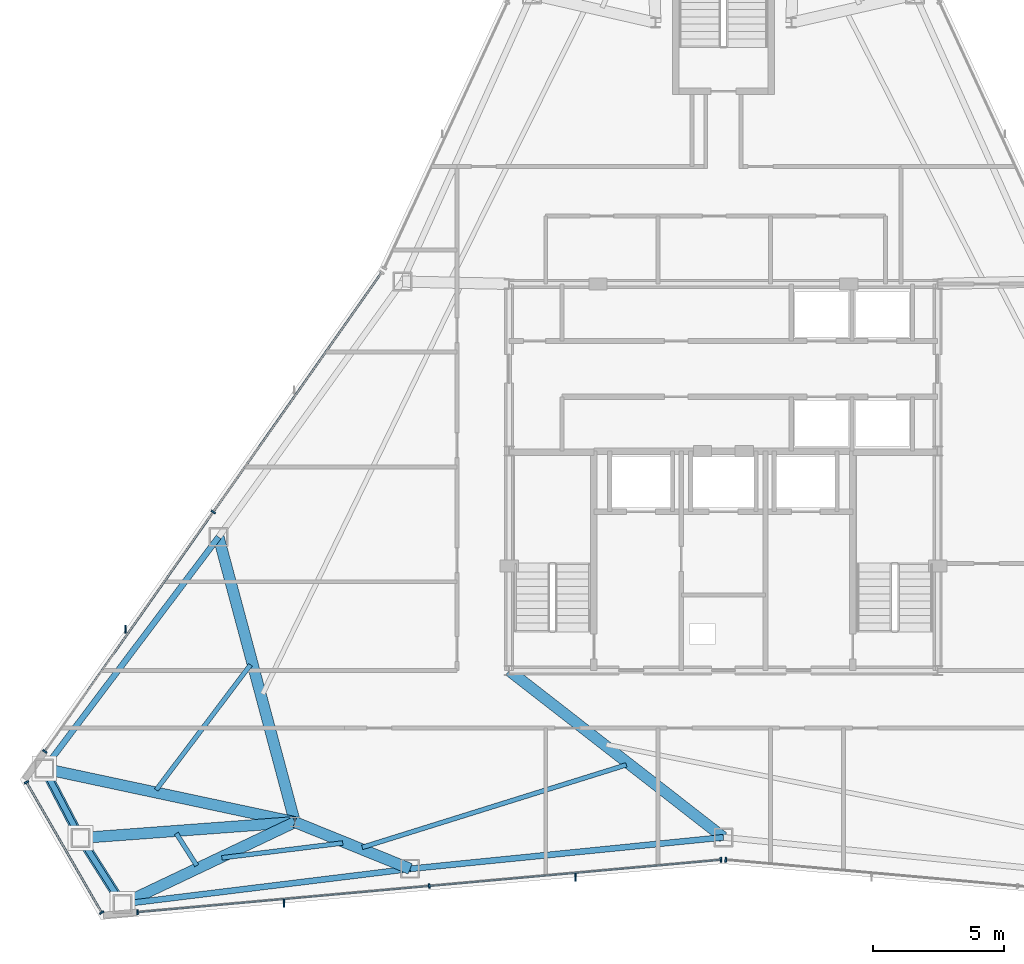
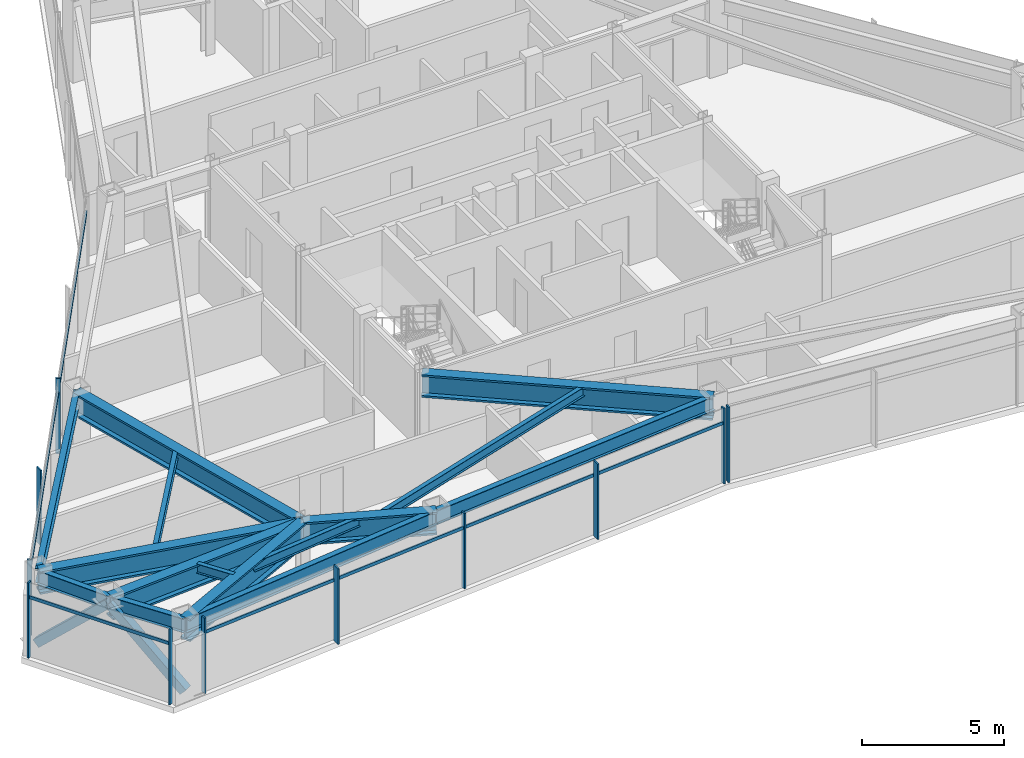
# One storey, part 3 of 12: 16 members, 15 beams, 4 elements without a shape of their own.
"""IFC4 building model written with IfcOpenShell, lengths in metres."""

import ifcopenshell
import ifcopenshell.guid

model = None  # the IFC model being written
_history = None  # IfcOwnerHistory: only IFC2X3 demands one
_inside = {}  # id of a spatial element -> (the spatial element, [elements in it])
_under = {}  # id of a project, library or spatial element -> (it, [spatial elements below it])
_declared = {}  # id of a project -> (the project, [libraries it declares])
_typed = {}  # id of a type object -> (the type object, [elements of that type])
_made_of = {}  # id of a material, layer set ... -> (it, [elements and type objects made of it])


def new_model(schema):
    """Start an empty IFC model of exactly this schema.

    Asked for "IFC4X3", IfcOpenShell would pick the latest addendum, in which some entities
    have other attributes; the version numbers below select the first issue.
    IFC2X3 requires an IfcOwnerHistory on every rooted entity: one is made here for all.
    """
    global model, _history
    if schema == "IFC4X3":
        model = ifcopenshell.file(schema_version=(4, 3, 0, 0))
    else:
        model = ifcopenshell.file(schema=schema)
    _inside.clear()
    _under.clear()
    _declared.clear()
    _typed.clear()
    _made_of.clear()
    _history = None
    if model.schema == "IFC2X3":
        org = make("IfcOrganization", Name="unknown")
        user = make(
            "IfcPersonAndOrganization",
            ThePerson=make("IfcPerson", FamilyName="unknown"),
            TheOrganization=org,
        )
        app = make(
            "IfcApplication",
            ApplicationDeveloper=org,
            Version="unknown",
            ApplicationFullName="unknown",
            ApplicationIdentifier="unknown",
        )
        _history = make(
            "IfcOwnerHistory",
            OwningUser=user,
            OwningApplication=app,
            ChangeAction="ADDED",
            CreationDate=0,
        )
    return model


def make(cls, **values):
    """One entity of the class cls with the attributes given. An attribute that is None is left unset."""
    return model.create_entity(
        cls, **{name: value for name, value in values.items() if value is not None}
    )


def rooted(cls, **values):
    """An entity with a GlobalId (a new one), such as an element, a storey or a relation."""
    return make(cls, GlobalId=ifcopenshell.guid.new(), OwnerHistory=_history, **values)


def si_unit(unit_type, name, prefix=None):
    """IfcSIUnit, for example si_unit("LENGTHUNIT", "METRE", prefix="MILLI")."""
    return make("IfcSIUnit", UnitType=unit_type, Prefix=prefix, Name=name)


def assignment(units):
    """IfcUnitAssignment: the units of a project."""
    return None if units is None else make("IfcUnitAssignment", Units=units)


def point(xyz):
    """IfcCartesianPoint."""
    return None if xyz is None else make("IfcCartesianPoint", Coordinates=xyz)


def direction(xyz):
    """IfcDirection."""
    return None if xyz is None else make("IfcDirection", DirectionRatios=xyz)


def frame(location, z_axis=None, x_axis=None):
    """IfcAxis2Placement3D, a coordinate frame: its origin and axes. An axis left out is left unset."""
    return make(
        "IfcAxis2Placement3D",
        Location=point(location),
        Axis=direction(z_axis),
        RefDirection=direction(x_axis),
    )


def frame_2d(location, x_axis=None):
    """IfcAxis2Placement2D, a coordinate frame in the plane: its origin and x axis."""
    return make(
        "IfcAxis2Placement2D", Location=point(location), RefDirection=direction(x_axis)
    )


def origin():
    """The frame at (0, 0, 0) with its axes left unset."""
    return frame((0.0, 0.0, 0.0))


def origin_2d():
    """The frame at (0, 0) in the plane with its x axis left unset."""
    return frame_2d((0.0, 0.0))


def place(relative_to, where):
    """IfcLocalPlacement: puts the frame where relative to a parent placement (None: the world)."""
    return make(
        "IfcLocalPlacement", PlacementRelTo=relative_to, RelativePlacement=where
    )


def context(
    kind, dimensions, precision=None, world=None, true_north=None, identifier=None
):
    """IfcGeometricRepresentationContext, for example the 3D "Model" context."""
    return make(
        "IfcGeometricRepresentationContext",
        ContextIdentifier=identifier,
        ContextType=kind,
        CoordinateSpaceDimension=dimensions,
        Precision=precision,
        WorldCoordinateSystem=world,
        TrueNorth=true_north,
    )


def subcontext(parent, identifier, kind, view, scale=None):
    """IfcGeometricRepresentationSubContext, for example "Body" below "Model"."""
    return make(
        "IfcGeometricRepresentationSubContext",
        ContextIdentifier=identifier,
        ContextType=kind,
        ParentContext=parent,
        TargetScale=scale,
        TargetView=view,
    )


def project(units=None, contexts=None):
    """IfcProject with its units and contexts."""
    return rooted(
        "IfcProject",
        Name="project",
        RepresentationContexts=contexts,
        UnitsInContext=assignment(units),
    )


def spatial(cls, under=None, at=None, **own):
    """A site, building, storey or space (cls), placed at a placement, below another one or the project."""
    s = rooted(cls, ObjectPlacement=at, **own)
    if under is not None:
        _under.setdefault(under.id(), (under, []))[1].append(s)
    return s


def profile(cls, at=None, kind="AREA", **sizes):
    """A parametric profile (cls). Its sizes go by their IFC names, for example OverallWidth=200.0."""
    return make(cls, ProfileType=kind, Position=at, **sizes)


def rectangle(**sizes):
    """IfcRectangleProfileDef."""
    return profile("IfcRectangleProfileDef", **sizes)


def hollow_rectangle(**sizes):
    """IfcRectangleHollowProfileDef."""
    return profile("IfcRectangleHollowProfileDef", **sizes)


def i_section(**sizes):
    """IfcIShapeProfileDef."""
    return profile("IfcIShapeProfileDef", **sizes)


def extrude(swept, where, along, depth):
    """IfcExtrudedAreaSolid: the profile swept, set in the frame where, extruded along a direction by depth."""
    return make(
        "IfcExtrudedAreaSolid",
        SweptArea=swept,
        Position=where,
        ExtrudedDirection=direction(along),
        Depth=depth,
    )


def shape(context_of_items, identifier, shape_type, items):
    """IfcShapeRepresentation: the items that make up one representation, for example the "Body"."""
    return make(
        "IfcShapeRepresentation",
        ContextOfItems=context_of_items,
        RepresentationIdentifier=identifier,
        RepresentationType=shape_type,
        Items=items,
    )


def source(mapping_origin, context_of_items, identifier, shape_type, items):
    """IfcRepresentationMap: a shape defined once, which mapped items show again and again."""
    return make(
        "IfcRepresentationMap",
        MappingOrigin=mapping_origin,
        MappedRepresentation=shape(context_of_items, identifier, shape_type, items),
    )


def transform(
    local_origin,
    x_axis=None,
    y_axis=None,
    z_axis=None,
    scale=None,
    scale2=None,
    scale3=None,
    uniform=True,
):
    """IfcCartesianTransformationOperator3D, or its non-uniform kind. x_axis, y_axis, z_axis: its Axis1, 2, 3."""
    if uniform:
        return make(
            "IfcCartesianTransformationOperator3D",
            Axis1=direction(x_axis),
            Axis2=direction(y_axis),
            LocalOrigin=point(local_origin),
            Scale=scale,
            Axis3=direction(z_axis),
        )
    return make(
        "IfcCartesianTransformationOperator3DnonUniform",
        Axis1=direction(x_axis),
        Axis2=direction(y_axis),
        LocalOrigin=point(local_origin),
        Scale=scale,
        Axis3=direction(z_axis),
        Scale2=scale2,
        Scale3=scale3,
    )


def mapped(mapping_source, mapping_target):
    """IfcMappedItem: shows the shape of a source again, moved by a transform."""
    return make(
        "IfcMappedItem", MappingSource=mapping_source, MappingTarget=mapping_target
    )


def material(Name=None, Category=None):
    """IfcMaterial."""
    return make("IfcMaterial", Name=Name, Category=Category)


def layer(
    of_material, thickness, ventilated=None, Name=None, Category=None, Priority=None
):
    """IfcMaterialLayer: one layer of a wall or slab, of a material (None: an air gap)."""
    return make(
        "IfcMaterialLayer",
        Material=of_material,
        LayerThickness=thickness,
        IsVentilated=ventilated,
        Name=Name,
        Category=Category,
        Priority=Priority,
    )


def layer_set(layers, Name=None):
    """IfcMaterialLayerSet."""
    return make("IfcMaterialLayerSet", MaterialLayers=layers, LayerSetName=Name)


def material_profile(
    of_material, cross_section, Name=None, Category=None, Priority=None
):
    """IfcMaterialProfile: a cross section and its material."""
    return make(
        "IfcMaterialProfile",
        Name=Name,
        Material=of_material,
        Profile=cross_section,
        Priority=Priority,
        Category=Category,
    )


def profile_set(profiles, Name=None, composite=None):
    """IfcMaterialProfileSet."""
    return make(
        "IfcMaterialProfileSet",
        Name=Name,
        MaterialProfiles=profiles,
        CompositeProfile=composite,
    )


def made_of(thing, what):
    """Note that an element or type object is made of a material, layer set ...; save() writes the relation."""
    if what is not None:
        _made_of.setdefault(what.id(), (what, []))[1].append(thing)
    return thing


def type_object(cls, material=None, **own):
    """A type object (cls), such as IfcWallType, which elements share."""
    return made_of(rooted(cls, **own), material)


def type_shapes(of_type, sources):
    """Give a type object the sources (RepresentationMaps) that its elements show as mapped items."""
    of_type.RepresentationMaps = sources


def element(
    cls,
    number,
    at=None,
    inside=None,
    cuts=None,
    type_object=None,
    material=None,
    context=None,
    identifier="Body",
    shape_type=None,
    held_by="IfcProductDefinitionShape",
    body=None,
    shapes=None,
    **own,
):
    """One element of the class cls, such as IfcWall. Its Tag is "e" and its number.

    at: its placement. inside: the storey or other place that contains it. cuts: it is an
    opening in that element (IfcRelVoidsElement). A single representation is given by context,
    identifier, shape_type and body (its items); several are given by shapes. held_by: the class
    of the entity that holds the representations. save() writes the other relations.
    """
    e = rooted(cls, Tag="e%d" % number, ObjectPlacement=at, **own)
    if body is not None:
        shapes = [shape(context, identifier, shape_type, body)]
    if shapes is not None:
        e.Representation = make(held_by, Representations=shapes)
    if inside is not None:
        _inside.setdefault(inside.id(), (inside, []))[1].append(e)
    if cuts is not None:
        rooted(
            "IfcRelVoidsElement", RelatingBuildingElement=cuts, RelatedOpeningElement=e
        )
    if type_object is not None:
        _typed.setdefault(type_object.id(), (type_object, []))[1].append(e)
    return made_of(e, material)


def aggregate(whole, parts):
    """IfcRelAggregates: a whole, such as a stair, and the parts it consists of."""
    return rooted("IfcRelAggregates", RelatingObject=whole, RelatedObjects=parts)


def save(model, path):
    """Write the relations noted so far, then the file.

    IfcRelAggregates (storeys below a building ...), IfcRelContainedInSpatialStructure (elements
    in a storey), IfcRelDefinesByType, IfcRelAssociatesMaterial and IfcRelDeclares: one each for
    every whole, place, type object, material and project.
    """
    for whole, parts in _under.values():
        aggregate(whole, parts)
    for where, things in _inside.values():
        rooted(
            "IfcRelContainedInSpatialStructure",
            RelatedElements=things,
            RelatingStructure=where,
        )
    for kind, things in _typed.values():
        rooted("IfcRelDefinesByType", RelatedObjects=things, RelatingType=kind)
    for what, things in _made_of.values():
        rooted("IfcRelAssociatesMaterial", RelatedObjects=things, RelatingMaterial=what)
    for by, libraries in _declared.values():
        rooted("IfcRelDeclares", RelatingContext=by, RelatedDefinitions=libraries)
    model.write(path)


model = new_model("IFC4")

# Units and contexts
model_context = context("Model", 3, precision=1e-05, world=origin(), true_north=direction((0.0, 1.0)))
body_context = subcontext(model_context, "Body", "Model", "MODEL_VIEW")
ifc_project = project(units=[si_unit("LENGTHUNIT", "METRE"), si_unit("AREAUNIT", "SQUARE_METRE"), si_unit("VOLUMEUNIT", "CUBIC_METRE"), si_unit("PLANEANGLEUNIT", "RADIAN"), si_unit("MASSUNIT", "GRAM", prefix="KILO")], contexts=[model_context])

# Site, building, storey
site_placement = place(None, origin())
site = spatial("IfcSite", under=ifc_project, at=site_placement, CompositionType="ELEMENT")
building_placement = place(site_placement, origin())
building = spatial("IfcBuilding", under=site, at=building_placement, Name="Varakhsha Concourse Tower", CompositionType="ELEMENT")
storey_placement = place(building_placement, frame((0.0, 0.0, 239.89990234375)))
storey = spatial("IfcBuildingStorey", under=building, at=storey_placement, Name="L68", CompositionType="ELEMENT", Elevation=239.89990234375)

# Beams
ifc_material_1 = material(Name="Structural Steel ASTM A992 Grade 50", Category="steel")
ifc_material_profile_1 = material_profile(ifc_material_1, i_section(OverallWidth=0.177978515625, OverallDepth=0.406982421875, WebThickness=0.008056640625, FlangeThickness=0.012939453125, at=origin_2d()), Name="W16X40")
ifc_profile_set_1 = profile_set([ifc_material_profile_1], Name="Structural Steel ASTM A992 Grade 50")
beam_type_1 = type_object("IfcBeamType", Name="BM-JST-W16X40", PredefinedType="JOIST", material=ifc_profile_set_1)
beam_1_placement = place(storey_placement, frame((21.898193359375, 16.621826171875, 3.046630859375), z_axis=(-0.601706040047, -0.79871762305, 0.0), x_axis=(0.79871762305, -0.601706040047, 0.0)))
element("IfcBeam", 1, at=beam_1_placement, inside=storey, type_object=beam_type_1, Name="BM-TJST-L68-06", PredefinedType="JOIST", context=body_context, shape_type="SweptSolid", body=[
    extrude(i_section(OverallWidth=0.177978515625, OverallDepth=0.406982421875, WebThickness=0.008056640625, FlangeThickness=0.012939453125, at=origin_2d()), origin(), (0.0, 0.0, 1.0), 5.994140625),
])
beam_2_placement = place(storey_placement, frame((19.061279296875, 10.166259765625, 3.046630859375), z_axis=(0.536051708421, -0.844185149063, 0.0), x_axis=(0.844185149063, 0.536051708421, 0.0)))
element("IfcBeam", 2, at=beam_2_placement, inside=storey, type_object=beam_type_1, Name="BM-TJST-L68-08", PredefinedType="JOIST", context=body_context, shape_type="SweptSolid", body=[
    extrude(i_section(OverallWidth=0.177978515625, OverallDepth=0.406982421875, WebThickness=0.008056640625, FlangeThickness=0.012939453125, at=origin_2d()), origin(), (0.0, 0.0, 1.0), 1.457763671875),
])
beam_3_placement = place(storey_placement, frame((20.803466796875, 9.232666015625, 3.046630859375), z_axis=(0.992562003635, 0.121740169785, 0.0), x_axis=(-0.121740169785, 0.992562003635, 0.0)))
element("IfcBeam", 3, at=beam_3_placement, inside=storey, type_object=beam_type_1, Name="BM-TJST-L68-09", PredefinedType="JOIST", context=body_context, shape_type="SweptSolid", body=[
    extrude(i_section(OverallWidth=0.177978515625, OverallDepth=0.406982421875, WebThickness=0.008056640625, FlangeThickness=0.012939453125, at=origin_2d()), origin(), (0.0, 0.0, 1.0), 4.66259765625),
])
beam_4_placement = place(storey_placement, frame((26.1748046875, 9.6318359375, 3.046630859375), z_axis=(0.954452092333, 0.298364212736, 0.0), x_axis=(-0.298364212736, 0.954452092333, 0.0)))
element("IfcBeam", 4, at=beam_4_placement, inside=storey, type_object=beam_type_1, Name="BM-TJST-L68-10", PredefinedType="JOIST", context=body_context, shape_type="SweptSolid", body=[
    extrude(i_section(OverallWidth=0.177978515625, OverallDepth=0.406982421875, WebThickness=0.008056640625, FlangeThickness=0.012939453125, at=origin_2d()), origin(), (0.0, 0.0, 1.0), 10.594970703125),
])
ifc_material_profile_2 = material_profile(ifc_material_1, i_section(OverallWidth=0.22900390625, OverallDepth=0.612060546875, WebThickness=0.011962890625, FlangeThickness=0.02001953125, at=origin_2d()), Name="W24X84")
ifc_profile_set_2 = profile_set([ifc_material_profile_2], Name="Structural Steel ASTM A992 Grade 50")
beam_type_2 = type_object("IfcBeamType", Name="BM-SPAN-W24X84", PredefinedType="SPANDREL", material=ifc_profile_set_2)
beam_5_placement = place(storey_placement, frame((20.67919921875, 21.51025390625, 2.944091796875), z_axis=(-0.601674316147, -0.79874152095, 0.0), x_axis=(0.79874152095, -0.601674316147, 0.0)))
element("IfcBeam", 5, at=beam_5_placement, inside=storey, type_object=beam_type_2, Name="BM-SPAN-L68-06", PredefinedType="SPANDREL", context=body_context, shape_type="SweptSolid", body=[
    extrude(i_section(OverallWidth=0.22900390625, OverallDepth=0.612060546875, WebThickness=0.011962890625, FlangeThickness=0.02001953125, at=origin_2d()), origin(), (0.0, 0.0, 1.0), 11.096435546875),
])
beam_6_placement = place(storey_placement, frame((14.002685546875, 12.64697265625, 2.944091796875), z_axis=(0.462983659194, -0.886366815331, 0.0), x_axis=(0.886366815331, 0.462983659194, 0.0)))
element("IfcBeam", 6, at=beam_6_placement, inside=storey, type_object=beam_type_2, Name="BM-SPAN-L68-07", PredefinedType="SPANDREL", context=body_context, shape_type="SweptSolid", body=[
    extrude(i_section(OverallWidth=0.22900390625, OverallDepth=0.612060546875, WebThickness=0.011962890625, FlangeThickness=0.02001953125, at=origin_2d()), origin(), (0.0, 0.0, 1.0), 2.996337890625),
])
beam_7_placement = place(storey_placement, frame((15.389892578125, 9.9912109375, 2.944091796875), z_axis=(0.536079112656, -0.84416774694, 0.0), x_axis=(0.84416774694, 0.536079112656, 0.0)))
element("IfcBeam", 7, at=beam_7_placement, inside=storey, type_object=beam_type_2, Name="BM-SPAN-L68-08", PredefinedType="SPANDREL", context=body_context, shape_type="SweptSolid", body=[
    extrude(i_section(OverallWidth=0.22900390625, OverallDepth=0.612060546875, WebThickness=0.011962890625, FlangeThickness=0.02001953125, at=origin_2d()), origin(), (0.0, 0.0, 1.0), 2.99609375),
])
beam_8_placement = place(storey_placement, frame((16.99609375, 7.4619140625, 2.944091796875), z_axis=(0.99256557361, 0.121711059831, 0.0), x_axis=(-0.121711059831, 0.99256557361, 0.0)))
element("IfcBeam", 8, at=beam_8_placement, inside=storey, type_object=beam_type_2, Name="BM-SPAN-L68-09", PredefinedType="SPANDREL", context=body_context, shape_type="SweptSolid", body=[
    extrude(i_section(OverallWidth=0.22900390625, OverallDepth=0.612060546875, WebThickness=0.011962890625, FlangeThickness=0.02001953125, at=origin_2d()), origin(), (0.0, 0.0, 1.0), 11.0966796875),
])
beam_9_placement = place(storey_placement, frame((28.01025390625, 8.8125, 2.944091796875), z_axis=(0.994986914397, 0.100005200763, 0.0), x_axis=(-0.100005200763, 0.994986914397, 0.0)))
element("IfcBeam", 9, at=beam_9_placement, inside=storey, type_object=beam_type_2, Name="BM-SPAN-L68-10", PredefinedType="SPANDREL", context=body_context, shape_type="SweptSolid", body=[
    extrude(i_section(OverallWidth=0.22900390625, OverallDepth=0.612060546875, WebThickness=0.011962890625, FlangeThickness=0.02001953125, at=origin_2d()), origin(), (0.0, 0.0, 1.0), 12.050048828125),
])
ifc_material_profile_3 = material_profile(ifc_material_1, i_section(OverallWidth=0.427978515625, OverallDepth=0.97509765625, WebThickness=0.050048828125, FlangeThickness=0.0810546875, at=origin_2d()), Name="W36X395")
ifc_profile_set_3 = profile_set([ifc_material_profile_3], Name="Structural Steel ASTM A992 Grade 50")
beam_type_3 = type_object("IfcBeamType", Name="BM-XFER-W36X395", PredefinedType="USERDEFINED", material=ifc_profile_set_3)
beam_10_placement = place(storey_placement, frame((23.60009765625, 10.60009765625, 2.7626953125), z_axis=(-0.258615069027, 0.965980458432, 0.0), x_axis=(-0.965980458432, -0.258615069027, 0.0)))
element("IfcBeam", 10, at=beam_10_placement, inside=storey, type_object=beam_type_3, Name="L68 Radial Floor Girder 06", ObjectType="GIRDER", PredefinedType="USERDEFINED", context=body_context, shape_type="SweptSolid", body=[
    extrude(i_section(OverallWidth=0.427978515625, OverallDepth=0.97509765625, WebThickness=0.050048828125, FlangeThickness=0.0810546875, at=origin_2d()), origin(), (0.0, 0.0, 1.0), 11.29443359375),
])
beam_11_placement = place(storey_placement, frame((23.60009765625, 10.60009765625, 2.7626953125), z_axis=(-0.978004747479, 0.208582630889, 0.0), x_axis=(-0.208582630889, -0.978004747479, 0.0)))
element("IfcBeam", 11, at=beam_11_placement, inside=storey, type_object=beam_type_3, Name="L68 Radial Floor Girder 07", ObjectType="GIRDER", PredefinedType="USERDEFINED", context=body_context, shape_type="SweptSolid", body=[
    extrude(i_section(OverallWidth=0.427978515625, OverallDepth=0.97509765625, WebThickness=0.050048828125, FlangeThickness=0.0810546875, at=origin_2d()), origin(), (0.0, 0.0, 1.0), 9.813232421875),
])
beam_12_placement = place(storey_placement, frame((23.60009765625, 10.60009765625, 2.7626953125), z_axis=(-0.997261277547, -0.073959071819, 0.0), x_axis=(0.073959071819, -0.997261277547, 0.0)))
element("IfcBeam", 12, at=beam_12_placement, inside=storey, type_object=beam_type_3, Name="L68 Radial Floor Girder 08", ObjectType="GIRDER", PredefinedType="USERDEFINED", context=body_context, shape_type="SweptSolid", body=[
    extrude(i_section(OverallWidth=0.427978515625, OverallDepth=0.97509765625, WebThickness=0.050048828125, FlangeThickness=0.0810546875, at=origin_2d()), origin(), (0.0, 0.0, 1.0), 8.232666015625),
])
beam_13_placement = place(storey_placement, frame((23.60009765625, 10.60009765625, 2.7626953125), z_axis=(-0.903209554436, -0.429199837809, 0.0), x_axis=(0.429199837809, -0.903209554436, 0.0)))
element("IfcBeam", 13, at=beam_13_placement, inside=storey, type_object=beam_type_3, Name="L68 Radial Floor Girder 09", ObjectType="GIRDER", PredefinedType="USERDEFINED", context=body_context, shape_type="SweptSolid", body=[
    extrude(i_section(OverallWidth=0.427978515625, OverallDepth=0.97509765625, WebThickness=0.050048828125, FlangeThickness=0.0810546875, at=origin_2d()), origin(), (0.0, 0.0, 1.0), 7.311767578125),
])
beam_14_placement = place(storey_placement, frame((23.60009765625, 10.60009765625, 2.7626953125), z_axis=(0.926761474879, -0.375650327672, 0.0), x_axis=(0.375650327672, 0.926761474879, 0.0)))
element("IfcBeam", 14, at=beam_14_placement, inside=storey, type_object=beam_type_3, Name="L68 Radial Floor Girder 10", ObjectType="GIRDER", PredefinedType="USERDEFINED", context=body_context, shape_type="SweptSolid", body=[
    extrude(i_section(OverallWidth=0.427978515625, OverallDepth=0.97509765625, WebThickness=0.050048828125, FlangeThickness=0.0810546875, at=origin_2d()), origin(), (0.0, 0.0, 1.0), 4.7587890625),
])
beam_15_placement = place(storey_placement, frame((31.800048828125, 16.39990234375, 2.7626953125), z_axis=(0.789138361813, -0.614215471895, 0.0), x_axis=(0.614215471895, 0.789138361813, 0.0)))
element("IfcBeam", 15, at=beam_15_placement, inside=storey, type_object=beam_type_3, Name="L68 Radial Floor Girder 11", ObjectType="GIRDER", PredefinedType="USERDEFINED", context=body_context, shape_type="SweptSolid", body=[
    extrude(i_section(OverallWidth=0.427978515625, OverallDepth=0.97509765625, WebThickness=0.050048828125, FlangeThickness=0.0810546875, at=origin_2d()), origin(), (0.0, 0.0, 1.0), 10.39111328125),
])

# Members
ifc_material_2 = material(Name="Structural Steel ASTM A500 Grade C", Category="steel")
ifc_material_profile_4 = material_profile(ifc_material_2, hollow_rectangle(XDim=0.35009765625, YDim=0.35009765625, WallThickness=0.01611328125, at=origin_2d()), Name="HSS 350x350x16")
ifc_profile_set_4 = profile_set([ifc_material_profile_4], Name="Structural Steel ASTM A500 Grade C")
member_type_1 = type_object("IfcMemberType", Name="MB-TUBE-HSS350", PredefinedType="BRACE", material=ifc_profile_set_4)
shared_shape_1 = source(origin(), body_context, "Body", "SweptSolid", [
    extrude(hollow_rectangle(XDim=0.35009765625, YDim=0.35009765625, WallThickness=0.01611328125, at=origin_2d()), origin(), (0.0, 0.0, 1.0), 4.12158203125),
])
type_shapes(member_type_1, [shared_shape_1])
for number, where, z_axis, x_axis, name in (
    (16, (14.002685546875, 12.64697265625, 0.1201171875), (0.336578258561, -0.644367880434, 0.686662297297), (0.886366815331, 0.462983659194, 0.0), "L68 Wind-Corner Tube Brace B03"),
    (17, (16.99609375, 7.4619140625, 0.1201171875), (-0.38971500648, 0.613687105507, 0.686666112648), (-0.84416774694, -0.536079112656, 0.0), "L68 Wind-Corner Tube Brace B04"),
):
    element("IfcMember", number, at=place(storey_placement, frame(where, z_axis=z_axis, x_axis=x_axis)), inside=storey, type_object=member_type_1, Name=name, PredefinedType="BRACE", context=body_context, shape_type="MappedRepresentation", body=[
        mapped(shared_shape_1, transform((0.0, 0.0, 0.0), scale=1.0)),
    ])

# Curtain wall, members
ifc_material_3 = material(Name="Anodised Bronze Architectural Aluminium AA 6063-T6", Category="aluminium")
ifc_layer = layer(ifc_material_3, 0.199951171875, Name="CW-SYS-05")
ifc_layer_set = layer_set([ifc_layer], Name="Anodised Bronze Architectural Aluminium AA 6063-T6")
curtain_wall_type = type_object("IfcCurtainWallType", Name="CW-SYS-05", PredefinedType="NOTDEFINED", material=ifc_layer_set)
curtain_wall_1_placement = place(storey_placement, origin())
curtain_wall_1 = element("IfcCurtainWall", 18, at=curtain_wall_1_placement, inside=storey, type_object=curtain_wall_type, Name="L68 Crystal Curtain Wall F3", PredefinedType="NOTDEFINED")
ifc_material_profile_5 = material_profile(ifc_material_3, rectangle(XDim=0.06494140625, YDim=0.179931640625, at=origin_2d()), Name="CWM-180X65")
ifc_profile_set_5 = profile_set([ifc_material_profile_5], Name="Anodised Bronze Architectural Aluminium AA 6063-T6")
member_type_2 = type_object("IfcMemberType", Name="CWM-180X65", PredefinedType="MULLION", material=ifc_profile_set_5)
shared_shape_2 = source(origin(), body_context, "Body", "SweptSolid", [
    extrude(rectangle(XDim=0.06494140625, YDim=0.179931640625, at=origin_2d()), origin(), (0.0, 0.0, 1.0), 3.25),
])
type_shapes(member_type_2, [shared_shape_2])
member_1_placement = place(storey_placement, frame((14.02587890625, 13.305419921875, 0.0), z_axis=(0.0, 0.0, 1.0), x_axis=(0.575443547255, 0.817841502935, 0.0)))
member_1 = element("IfcMember", 19, at=member_1_placement, type_object=member_type_2, Name="CW-L68-F3 Mullion 00", PredefinedType="MULLION", context=body_context, shape_type="MappedRepresentation", body=[
    mapped(shared_shape_2, transform((0.0, 0.0, 0.0), scale=1.0)),
])
member_2_placement = place(storey_placement, frame((20.475830078125, 22.472412109375, 0.0), z_axis=(0.0, 0.0, 1.0), x_axis=(0.575443547255, 0.817841502935, 0.0)))
member_2 = element("IfcMember", 20, at=member_2_placement, type_object=member_type_2, Name="CW-L68-F3 Mullion 01", PredefinedType="MULLION", context=body_context, shape_type="MappedRepresentation", body=[
    mapped(shared_shape_2, transform((0.0, 0.0, 0.0), scale=1.0)),
])

curtain_wall_2_placement = place(storey_placement, origin())
curtain_wall_2 = element("IfcCurtainWall", 21, at=curtain_wall_2_placement, inside=storey, type_object=curtain_wall_type, Name="L68 Chamfer Curtain Wall F4", PredefinedType="NOTDEFINED")
member_3_placement = place(storey_placement, frame((16.206298828125, 7.13720703125, 0.0), z_axis=(0.0, 0.0, 1.0), x_axis=(-0.499992442484, 0.866029767075, 0.0)))
member_3 = element("IfcMember", 22, at=member_3_placement, type_object=member_type_2, Name="CW-L68-F4 Mullion 00", PredefinedType="MULLION", context=body_context, shape_type="MappedRepresentation", body=[
    mapped(shared_shape_2, transform((0.0, 0.0, 0.0), scale=1.0)),
])
member_4_placement = place(storey_placement, frame((13.326416015625, 12.12548828125, 0.0), z_axis=(0.0, 0.0, 1.0), x_axis=(-0.499992442484, 0.866029767075, 0.0)))
member_4 = element("IfcMember", 23, at=member_4_placement, type_object=member_type_2, Name="CW-L68-F4 Mullion 01", PredefinedType="MULLION", context=body_context, shape_type="MappedRepresentation", body=[
    mapped(shared_shape_2, transform((0.0, 0.0, 0.0), scale=1.0)),
])

curtain_wall_3_placement = place(storey_placement, origin())
curtain_wall_3 = element("IfcCurtainWall", 24, at=curtain_wall_3_placement, inside=storey, type_object=curtain_wall_type, Name="L68 Crystal Curtain Wall F5", PredefinedType="NOTDEFINED")
member_5_placement = place(storey_placement, frame((39.906005859375, 9.15771484375, 0.0), z_axis=(0.0, 0.0, 1.0), x_axis=(-0.995992823181, -0.089433193907, 0.0)))
member_5 = element("IfcMember", 25, at=member_5_placement, type_object=member_type_2, Name="CW-L68-F5 Mullion 00", PredefinedType="MULLION", context=body_context, shape_type="MappedRepresentation", body=[
    mapped(shared_shape_2, transform((0.0, 0.0, 0.0), scale=1.0)),
])
member_6_placement = place(storey_placement, frame((28.741943359375, 8.155517578125, 0.0), z_axis=(0.0, 0.0, 1.0), x_axis=(-0.995992823181, -0.089433193907, 0.0)))
member_6 = element("IfcMember", 26, at=member_6_placement, type_object=member_type_2, Name="CW-L68-F5 Mullion 01", PredefinedType="MULLION", context=body_context, shape_type="MappedRepresentation", body=[
    mapped(shared_shape_2, transform((0.0, 0.0, 0.0), scale=1.0)),
])
member_7_placement = place(storey_placement, frame((17.577880859375, 7.15283203125, 0.0), z_axis=(0.0, 0.0, 1.0), x_axis=(-0.995992823181, -0.089433193907, 0.0)))
member_7 = element("IfcMember", 27, at=member_7_placement, type_object=member_type_2, Name="CW-L68-F5 Mullion 02", PredefinedType="MULLION", context=body_context, shape_type="MappedRepresentation", body=[
    mapped(shared_shape_2, transform((0.0, 0.0, 0.0), scale=1.0)),
])

# Curtain wall, member
curtain_wall_4_placement = place(storey_placement, origin())
curtain_wall_4 = element("IfcCurtainWall", 28, at=curtain_wall_4_placement, inside=storey, type_object=curtain_wall_type, Name="L68 Crystal Curtain Wall F6", PredefinedType="NOTDEFINED")
member_8_placement = place(storey_placement, frame((40.093994140625, 9.15771484375, 0.0), z_axis=(0.0, 0.0, 1.0), x_axis=(-0.995992823181, 0.089433193907, 0.0)))
member_8 = element("IfcMember", 29, at=member_8_placement, type_object=member_type_2, Name="CW-L68-F6 Mullion 02", PredefinedType="MULLION", context=body_context, shape_type="MappedRepresentation", body=[
    mapped(shared_shape_2, transform((0.0, 0.0, 0.0), scale=1.0)),
])
aggregate(curtain_wall_4, [member_8])

# Member
ifc_material_profile_6 = material_profile(ifc_material_3, rectangle(XDim=0.054931640625, YDim=0.300048828125, at=origin_2d()), Name="FIN-BRZ-300")
ifc_profile_set_6 = profile_set([ifc_material_profile_6], Name="Anodised Bronze Architectural Aluminium AA 6063-T6")
member_type_3 = type_object("IfcMemberType", Name="FIN-BRZ-300", PredefinedType="USERDEFINED", material=ifc_profile_set_6)
shared_shape_3 = source(origin(), body_context, "Body", "SweptSolid", [
    extrude(rectangle(XDim=0.054931640625, YDim=0.300048828125, at=origin_2d()), origin(), (0.0, 0.0, 1.0), 3.25),
])
type_shapes(member_type_3, [shared_shape_3])
member_9_placement = place(storey_placement, frame((17.115966796875, 17.98388671875, 0.0), z_axis=(0.0, 0.0, 1.0), x_axis=(1.0, 0.0, 0.0)))
member_9 = element("IfcMember", 30, at=member_9_placement, type_object=member_type_3, Name="L68 Anodised Bronze Solar Fin F3-1", ObjectType="SOLAR FIN", PredefinedType="USERDEFINED", context=body_context, shape_type="MappedRepresentation", body=[
    mapped(shared_shape_3, transform((0.0, 0.0, 0.0), scale=1.0)),
])

member_10_placement = place(storey_placement, frame((34.338623046875, 8.4921875, 0.0), z_axis=(0.0, 0.0, 1.0), x_axis=(1.0, 0.0, 0.0)))
member_10 = element("IfcMember", 31, at=member_10_placement, type_object=member_type_3, Name="L68 Anodised Bronze Solar Fin F5-1", ObjectType="SOLAR FIN", PredefinedType="USERDEFINED", context=body_context, shape_type="MappedRepresentation", body=[
    mapped(shared_shape_3, transform((0.0, 0.0, 0.0), scale=1.0)),
])

member_11_placement = place(storey_placement, frame((23.174560546875, 7.48974609375, 0.0), z_axis=(0.0, 0.0, 1.0), x_axis=(1.0, 0.0, 0.0)))
member_11 = element("IfcMember", 32, at=member_11_placement, type_object=member_type_3, Name="L68 Anodised Bronze Solar Fin F5-2", ObjectType="SOLAR FIN", PredefinedType="USERDEFINED", context=body_context, shape_type="MappedRepresentation", body=[
    mapped(shared_shape_3, transform((0.0, 0.0, 0.0), scale=1.0)),
])

ifc_material_profile_7 = material_profile(ifc_material_3, rectangle(XDim=0.06005859375, YDim=0.139892578125, at=origin_2d()), Name="CWT-140X60")
ifc_profile_set_7 = profile_set([ifc_material_profile_7], Name="Anodised Bronze Architectural Aluminium AA 6063-T6")
member_type_4 = type_object("IfcMemberType", Name="CWT-140X60", PredefinedType="USERDEFINED", material=ifc_profile_set_7)
shared_shape_4 = source(origin(), body_context, "Body", "SweptSolid", [
    extrude(rectangle(XDim=0.06005859375, YDim=0.139892578125, at=origin_2d()), origin(), (0.0, 0.0, 1.0), 22.41796875),
])
member_12_placement = place(storey_placement, frame((39.906005859375, 9.15771484375, 2.60009765625), z_axis=(-0.995992929457, -0.08943201033, 0.0), x_axis=(0.08943201033, -0.995992929457, 0.0)))
member_12 = element("IfcMember", 33, at=member_12_placement, type_object=member_type_4, Name="CW-L68-F5 Transom 01", ObjectType="TRANSOM", PredefinedType="USERDEFINED", context=body_context, shape_type="MappedRepresentation", body=[
    mapped(shared_shape_4, transform((0.0, 0.0, 0.0), scale=1.0)),
])

aggregate(curtain_wall_3, [member_5, member_6, member_7, member_12, member_10, member_11])

shared_shape_5 = source(origin(), body_context, "Body", "SweptSolid", [
    extrude(rectangle(XDim=0.06005859375, YDim=0.139892578125, at=origin_2d()), origin(), (0.0, 0.0, 1.0), 22.417724609375),
])
member_13_placement = place(storey_placement, frame((14.02587890625, 13.305419921875, 2.60009765625), z_axis=(0.575442149843, 0.81784248617, 0.0), x_axis=(-0.81784248617, 0.575442149843, 0.0)))
member_13 = element("IfcMember", 34, at=member_13_placement, type_object=member_type_4, Name="CW-L68-F3 Transom 01", ObjectType="TRANSOM", PredefinedType="USERDEFINED", context=body_context, shape_type="MappedRepresentation", body=[
    mapped(shared_shape_5, transform((0.0, 0.0, 0.0), scale=1.0)),
])

aggregate(curtain_wall_1, [member_1, member_2, member_13, member_9])

shared_shape_6 = source(origin(), body_context, "Body", "SweptSolid", [
    extrude(rectangle(XDim=0.06005859375, YDim=0.139892578125, at=origin_2d()), origin(), (0.0, 0.0, 1.0), 5.760009765625),
])
type_shapes(member_type_4, [shared_shape_4, shared_shape_5, shared_shape_6])
member_14_placement = place(storey_placement, frame((16.206298828125, 7.13720703125, 2.60009765625), z_axis=(-0.499986626058, 0.866033125095, 0.0), x_axis=(-0.866033125095, -0.499986626058, 0.0)))
member_14 = element("IfcMember", 35, at=member_14_placement, type_object=member_type_4, Name="CW-L68-F4 Transom 01", ObjectType="TRANSOM", PredefinedType="USERDEFINED", context=body_context, shape_type="MappedRepresentation", body=[
    mapped(shared_shape_6, transform((0.0, 0.0, 0.0), scale=1.0)),
])

aggregate(curtain_wall_2, [member_3, member_4, member_14])

save(model, "model.ifc")
